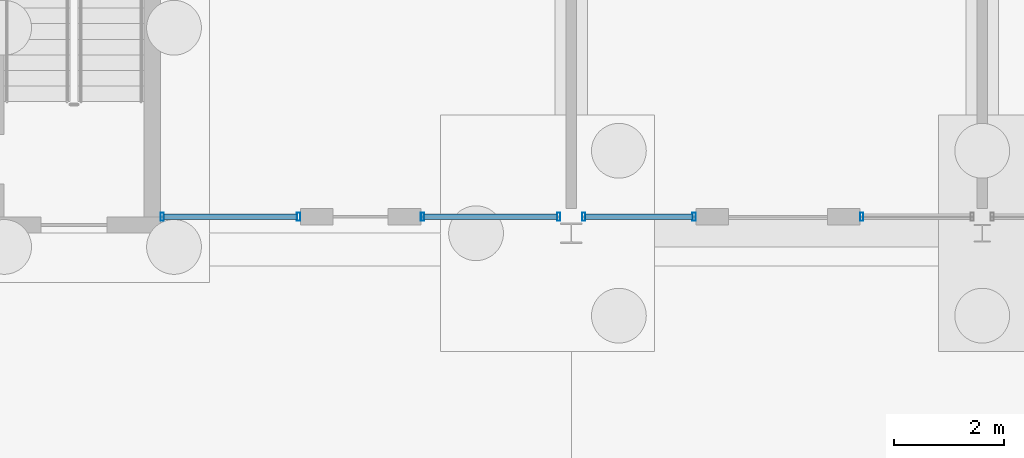
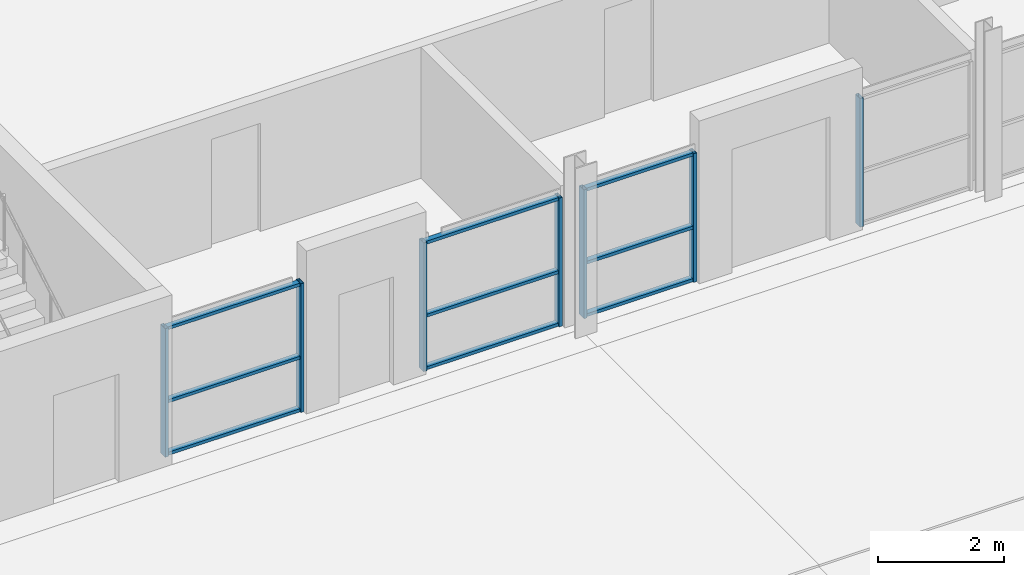
# One storey, part 51 of 130: 16 members, 4 elements without a shape of their own.
"""IFC4 building model written with IfcOpenShell, lengths in metres."""

import ifcopenshell
import ifcopenshell.guid

model = None  # the IFC model being written
_history = None  # IfcOwnerHistory: only IFC2X3 demands one
_inside = {}  # id of a spatial element -> (the spatial element, [elements in it])
_under = {}  # id of a project, library or spatial element -> (it, [spatial elements below it])
_declared = {}  # id of a project -> (the project, [libraries it declares])
_typed = {}  # id of a type object -> (the type object, [elements of that type])
_made_of = {}  # id of a material, layer set ... -> (it, [elements and type objects made of it])


def new_model(schema):
    """Start an empty IFC model of exactly this schema.

    Asked for "IFC4X3", IfcOpenShell would pick the latest addendum, in which some entities
    have other attributes; the version numbers below select the first issue.
    IFC2X3 requires an IfcOwnerHistory on every rooted entity: one is made here for all.
    """
    global model, _history
    if schema == "IFC4X3":
        model = ifcopenshell.file(schema_version=(4, 3, 0, 0))
    else:
        model = ifcopenshell.file(schema=schema)
    _inside.clear()
    _under.clear()
    _declared.clear()
    _typed.clear()
    _made_of.clear()
    _history = None
    if model.schema == "IFC2X3":
        org = make("IfcOrganization", Name="unknown")
        user = make(
            "IfcPersonAndOrganization",
            ThePerson=make("IfcPerson", FamilyName="unknown"),
            TheOrganization=org,
        )
        app = make(
            "IfcApplication",
            ApplicationDeveloper=org,
            Version="unknown",
            ApplicationFullName="unknown",
            ApplicationIdentifier="unknown",
        )
        _history = make(
            "IfcOwnerHistory",
            OwningUser=user,
            OwningApplication=app,
            ChangeAction="ADDED",
            CreationDate=0,
        )
    return model


def make(cls, **values):
    """One entity of the class cls with the attributes given. An attribute that is None is left unset."""
    return model.create_entity(
        cls, **{name: value for name, value in values.items() if value is not None}
    )


def rooted(cls, **values):
    """An entity with a GlobalId (a new one), such as an element, a storey or a relation."""
    return make(cls, GlobalId=ifcopenshell.guid.new(), OwnerHistory=_history, **values)


def si_unit(unit_type, name, prefix=None):
    """IfcSIUnit, for example si_unit("LENGTHUNIT", "METRE", prefix="MILLI")."""
    return make("IfcSIUnit", UnitType=unit_type, Prefix=prefix, Name=name)


def assignment(units):
    """IfcUnitAssignment: the units of a project."""
    return None if units is None else make("IfcUnitAssignment", Units=units)


def point(xyz):
    """IfcCartesianPoint."""
    return None if xyz is None else make("IfcCartesianPoint", Coordinates=xyz)


def direction(xyz):
    """IfcDirection."""
    return None if xyz is None else make("IfcDirection", DirectionRatios=xyz)


def frame(location, z_axis=None, x_axis=None):
    """IfcAxis2Placement3D, a coordinate frame: its origin and axes. An axis left out is left unset."""
    return make(
        "IfcAxis2Placement3D",
        Location=point(location),
        Axis=direction(z_axis),
        RefDirection=direction(x_axis),
    )


def frame_2d(location, x_axis=None):
    """IfcAxis2Placement2D, a coordinate frame in the plane: its origin and x axis."""
    return make(
        "IfcAxis2Placement2D", Location=point(location), RefDirection=direction(x_axis)
    )


def origin():
    """The frame at (0, 0, 0) with its axes left unset."""
    return frame((0.0, 0.0, 0.0))


def origin_2d():
    """The frame at (0, 0) in the plane with its x axis left unset."""
    return frame_2d((0.0, 0.0))


def place(relative_to, where):
    """IfcLocalPlacement: puts the frame where relative to a parent placement (None: the world)."""
    return make(
        "IfcLocalPlacement", PlacementRelTo=relative_to, RelativePlacement=where
    )


def context(
    kind, dimensions, precision=None, world=None, true_north=None, identifier=None
):
    """IfcGeometricRepresentationContext, for example the 3D "Model" context."""
    return make(
        "IfcGeometricRepresentationContext",
        ContextIdentifier=identifier,
        ContextType=kind,
        CoordinateSpaceDimension=dimensions,
        Precision=precision,
        WorldCoordinateSystem=world,
        TrueNorth=true_north,
    )


def subcontext(parent, identifier, kind, view, scale=None):
    """IfcGeometricRepresentationSubContext, for example "Body" below "Model"."""
    return make(
        "IfcGeometricRepresentationSubContext",
        ContextIdentifier=identifier,
        ContextType=kind,
        ParentContext=parent,
        TargetScale=scale,
        TargetView=view,
    )


def project(units=None, contexts=None):
    """IfcProject with its units and contexts."""
    return rooted(
        "IfcProject",
        Name="project",
        RepresentationContexts=contexts,
        UnitsInContext=assignment(units),
    )


def spatial(cls, under=None, at=None, **own):
    """A site, building, storey or space (cls), placed at a placement, below another one or the project."""
    s = rooted(cls, ObjectPlacement=at, **own)
    if under is not None:
        _under.setdefault(under.id(), (under, []))[1].append(s)
    return s


def profile(cls, at=None, kind="AREA", **sizes):
    """A parametric profile (cls). Its sizes go by their IFC names, for example OverallWidth=200.0."""
    return make(cls, ProfileType=kind, Position=at, **sizes)


def hollow_rectangle(**sizes):
    """IfcRectangleHollowProfileDef."""
    return profile("IfcRectangleHollowProfileDef", **sizes)


def extrude(swept, where, along, depth):
    """IfcExtrudedAreaSolid: the profile swept, set in the frame where, extruded along a direction by depth."""
    return make(
        "IfcExtrudedAreaSolid",
        SweptArea=swept,
        Position=where,
        ExtrudedDirection=direction(along),
        Depth=depth,
    )


def shape(context_of_items, identifier, shape_type, items):
    """IfcShapeRepresentation: the items that make up one representation, for example the "Body"."""
    return make(
        "IfcShapeRepresentation",
        ContextOfItems=context_of_items,
        RepresentationIdentifier=identifier,
        RepresentationType=shape_type,
        Items=items,
    )


def material(Name=None, Category=None):
    """IfcMaterial."""
    return make("IfcMaterial", Name=Name, Category=Category)


def material_profile(
    of_material, cross_section, Name=None, Category=None, Priority=None
):
    """IfcMaterialProfile: a cross section and its material."""
    return make(
        "IfcMaterialProfile",
        Name=Name,
        Material=of_material,
        Profile=cross_section,
        Priority=Priority,
        Category=Category,
    )


def profile_set(profiles, Name=None, composite=None):
    """IfcMaterialProfileSet."""
    return make(
        "IfcMaterialProfileSet",
        Name=Name,
        MaterialProfiles=profiles,
        CompositeProfile=composite,
    )


def made_of(thing, what):
    """Note that an element or type object is made of a material, layer set ...; save() writes the relation."""
    if what is not None:
        _made_of.setdefault(what.id(), (what, []))[1].append(thing)
    return thing


def type_object(cls, material=None, **own):
    """A type object (cls), such as IfcWallType, which elements share."""
    return made_of(rooted(cls, **own), material)


def element(
    cls,
    number,
    at=None,
    inside=None,
    cuts=None,
    type_object=None,
    material=None,
    context=None,
    identifier="Body",
    shape_type=None,
    held_by="IfcProductDefinitionShape",
    body=None,
    shapes=None,
    **own,
):
    """One element of the class cls, such as IfcWall. Its Tag is "e" and its number.

    at: its placement. inside: the storey or other place that contains it. cuts: it is an
    opening in that element (IfcRelVoidsElement). A single representation is given by context,
    identifier, shape_type and body (its items); several are given by shapes. held_by: the class
    of the entity that holds the representations. save() writes the other relations.
    """
    e = rooted(cls, Tag="e%d" % number, ObjectPlacement=at, **own)
    if body is not None:
        shapes = [shape(context, identifier, shape_type, body)]
    if shapes is not None:
        e.Representation = make(held_by, Representations=shapes)
    if inside is not None:
        _inside.setdefault(inside.id(), (inside, []))[1].append(e)
    if cuts is not None:
        rooted(
            "IfcRelVoidsElement", RelatingBuildingElement=cuts, RelatedOpeningElement=e
        )
    if type_object is not None:
        _typed.setdefault(type_object.id(), (type_object, []))[1].append(e)
    return made_of(e, material)


def aggregate(whole, parts):
    """IfcRelAggregates: a whole, such as a stair, and the parts it consists of."""
    return rooted("IfcRelAggregates", RelatingObject=whole, RelatedObjects=parts)


def save(model, path):
    """Write the relations noted so far, then the file.

    IfcRelAggregates (storeys below a building ...), IfcRelContainedInSpatialStructure (elements
    in a storey), IfcRelDefinesByType, IfcRelAssociatesMaterial and IfcRelDeclares: one each for
    every whole, place, type object, material and project.
    """
    for whole, parts in _under.values():
        aggregate(whole, parts)
    for where, things in _inside.values():
        rooted(
            "IfcRelContainedInSpatialStructure",
            RelatedElements=things,
            RelatingStructure=where,
        )
    for kind, things in _typed.values():
        rooted("IfcRelDefinesByType", RelatedObjects=things, RelatingType=kind)
    for what, things in _made_of.values():
        rooted("IfcRelAssociatesMaterial", RelatedObjects=things, RelatingMaterial=what)
    for by, libraries in _declared.values():
        rooted("IfcRelDeclares", RelatingContext=by, RelatedDefinitions=libraries)
    model.write(path)


model = new_model("IFC4")

# Units and contexts
model_context = context("Model", 3, precision=1e-05, world=origin(), true_north=direction((0.0, 1.0)))
body_context = subcontext(model_context, "Body", "Model", "MODEL_VIEW")
ifc_project = project(units=[si_unit("LENGTHUNIT", "METRE"), si_unit("AREAUNIT", "SQUARE_METRE"), si_unit("VOLUMEUNIT", "CUBIC_METRE"), si_unit("PLANEANGLEUNIT", "RADIAN"), si_unit("MASSUNIT", "GRAM", prefix="KILO")], contexts=[model_context])

# Site, building, storey
site_placement = place(None, origin())
site = spatial("IfcSite", under=ifc_project, at=site_placement, CompositionType="ELEMENT")
building_placement = place(site_placement, origin())
building = spatial("IfcBuilding", under=site, at=building_placement, Name="Parallax Yard Mobility Hub", CompositionType="ELEMENT")
storey_placement = place(building_placement, origin())
storey = spatial("IfcBuildingStorey", under=building, at=storey_placement, Name="L00", CompositionType="ELEMENT", Elevation=0.0)

# Curtain wall, members
ifc_material_1 = material(Name="Aluminium and glass curtain wall", Category="aluminium")
curtain_wall_type = type_object("IfcCurtainWallType", Name="Curtain wall, aluminium stick system", PredefinedType="NOTDEFINED", material=ifc_material_1)
curtain_wall_1_placement = place(storey_placement, origin())
curtain_wall_1 = element("IfcCurtainWall", 1, at=curtain_wall_1_placement, inside=storey, type_object=curtain_wall_type, Name="Curtain wall CW09 level L00 bay 7", PredefinedType="NOTDEFINED")
ifc_material_2 = material(Name="Aluminium 6063-T6 anodised", Category="aluminium")
ifc_material_profile_1 = material_profile(ifc_material_2, hollow_rectangle(XDim=0.14990234375, YDim=0.06005859375, WallThickness=0.00390625, at=origin_2d()), Name="RHS 60x150x4")
ifc_profile_set_1 = profile_set([ifc_material_profile_1], Name="Aluminium 6063-T6 anodised")
member_type_1 = type_object("IfcMemberType", Name="Curtain wall mullion RHS 60x150x4", PredefinedType="MULLION", material=ifc_profile_set_1)
member_1_placement = place(storey_placement, frame((82.534912109375, 112.800048828125, 0.0), z_axis=(0.0, 0.0, 1.0), x_axis=(0.0, 1.0, 0.0)))
member_1 = element("IfcMember", 2, at=member_1_placement, type_object=member_type_1, Name="CW09 mullion 1", PredefinedType="MULLION", context=body_context, shape_type="SweptSolid", body=[
    extrude(hollow_rectangle(XDim=0.14990234375, YDim=0.06005859375, WallThickness=0.00390625, at=origin_2d()), origin(), (0.0, 0.0, 1.0), 2.5),
])
member_2_placement = place(storey_placement, frame((85.02392578125, 112.800048828125, 0.0), z_axis=(0.0, 0.0, 1.0), x_axis=(0.0, 1.0, 0.0)))
member_2 = element("IfcMember", 3, at=member_2_placement, type_object=member_type_1, Name="CW09 mullion 2", PredefinedType="MULLION", context=body_context, shape_type="SweptSolid", body=[
    extrude(hollow_rectangle(XDim=0.14990234375, YDim=0.06005859375, WallThickness=0.00390625, at=origin_2d()), origin(), (0.0, 0.0, 1.0), 2.5),
])

curtain_wall_2_placement = place(storey_placement, origin())
curtain_wall_2 = element("IfcCurtainWall", 4, at=curtain_wall_2_placement, inside=storey, type_object=curtain_wall_type, Name="Curtain wall CW10 level L00 bay 7", PredefinedType="NOTDEFINED")
member_3_placement = place(storey_placement, frame((87.283935546875, 112.800048828125, 0.0), z_axis=(0.0, 0.0, 1.0), x_axis=(0.0, 1.0, 0.0)))
member_3 = element("IfcMember", 5, at=member_3_placement, type_object=member_type_1, Name="CW10 mullion 1", PredefinedType="MULLION", context=body_context, shape_type="SweptSolid", body=[
    extrude(hollow_rectangle(XDim=0.14990234375, YDim=0.06005859375, WallThickness=0.00390625, at=origin_2d()), origin(), (0.0, 0.0, 1.0), 2.5),
])
member_4_placement = place(storey_placement, frame((89.77294921875, 112.800048828125, 0.0), z_axis=(0.0, 0.0, 1.0), x_axis=(0.0, 1.0, 0.0)))
member_4 = element("IfcMember", 6, at=member_4_placement, type_object=member_type_1, Name="CW10 mullion 2", PredefinedType="MULLION", context=body_context, shape_type="SweptSolid", body=[
    extrude(hollow_rectangle(XDim=0.14990234375, YDim=0.06005859375, WallThickness=0.00390625, at=origin_2d()), origin(), (0.0, 0.0, 1.0), 2.5),
])

curtain_wall_3_placement = place(storey_placement, origin())
curtain_wall_3 = element("IfcCurtainWall", 7, at=curtain_wall_3_placement, inside=storey, type_object=curtain_wall_type, Name="Curtain wall CW11 level L00 bay 8", PredefinedType="NOTDEFINED")
member_5_placement = place(storey_placement, frame((90.22705078125, 112.800048828125, 0.0), z_axis=(0.0, 0.0, 1.0), x_axis=(0.0, 1.0, 0.0)))
member_5 = element("IfcMember", 8, at=member_5_placement, type_object=member_type_1, Name="CW11 mullion 1", PredefinedType="MULLION", context=body_context, shape_type="SweptSolid", body=[
    extrude(hollow_rectangle(XDim=0.14990234375, YDim=0.06005859375, WallThickness=0.00390625, at=origin_2d()), origin(), (0.0, 0.0, 1.0), 2.5),
])
member_6_placement = place(storey_placement, frame((92.24169921875, 112.800048828125, 0.0), z_axis=(0.0, 0.0, 1.0), x_axis=(0.0, 1.0, 0.0)))
member_6 = element("IfcMember", 9, at=member_6_placement, type_object=member_type_1, Name="CW11 mullion 2", PredefinedType="MULLION", context=body_context, shape_type="SweptSolid", body=[
    extrude(hollow_rectangle(XDim=0.14990234375, YDim=0.06005859375, WallThickness=0.00390625, at=origin_2d()), origin(), (0.0, 0.0, 1.0), 2.5),
])

# Curtain wall, member
curtain_wall_4_placement = place(storey_placement, origin())
curtain_wall_4 = element("IfcCurtainWall", 10, at=curtain_wall_4_placement, inside=storey, type_object=curtain_wall_type, Name="Curtain wall CW12 level L00 bay 8", PredefinedType="NOTDEFINED")
member_7_placement = place(storey_placement, frame((95.3017578125, 112.800048828125, 0.0), z_axis=(0.0, 0.0, 1.0), x_axis=(0.0, 1.0, 0.0)))
member_7 = element("IfcMember", 11, at=member_7_placement, type_object=member_type_1, Name="CW12 mullion 1", PredefinedType="MULLION", context=body_context, shape_type="SweptSolid", body=[
    extrude(hollow_rectangle(XDim=0.14990234375, YDim=0.06005859375, WallThickness=0.00390625, at=origin_2d()), origin(), (0.0, 0.0, 1.0), 2.5),
])
aggregate(curtain_wall_4, [member_7])

# Member
ifc_material_profile_2 = material_profile(ifc_material_2, hollow_rectangle(XDim=0.10009765625, YDim=0.06005859375, WallThickness=0.00390625, at=origin_2d()), Name="RHS 60x100x4")
ifc_profile_set_2 = profile_set([ifc_material_profile_2], Name="Aluminium 6063-T6 anodised")
member_type_2 = type_object("IfcMemberType", Name="Curtain wall transom RHS 60x100x4", PredefinedType="USERDEFINED", material=ifc_profile_set_2)
member_8_placement = place(storey_placement, frame((82.56494140625, 112.800048828125, 0.030029296875), z_axis=(1.0, 0.0, 0.0), x_axis=(0.0, 1.0, 0.0)))
member_8 = element("IfcMember", 12, at=member_8_placement, type_object=member_type_2, Name="CW09 transom 1.1", ObjectType="TRANSOM", PredefinedType="USERDEFINED", context=body_context, shape_type="SweptSolid", body=[
    extrude(hollow_rectangle(XDim=0.10009765625, YDim=0.06005859375, WallThickness=0.00390625, at=origin_2d()), origin(), (0.0, 0.0, 1.0), 2.428955078125),
])

member_9_placement = place(storey_placement, frame((82.56494140625, 112.800048828125, 1.050048828125), z_axis=(1.0, 0.0, 0.0), x_axis=(0.0, 1.0, 0.0)))
member_9 = element("IfcMember", 13, at=member_9_placement, type_object=member_type_2, Name="CW09 transom 1.2", ObjectType="TRANSOM", PredefinedType="USERDEFINED", context=body_context, shape_type="SweptSolid", body=[
    extrude(hollow_rectangle(XDim=0.10009765625, YDim=0.06005859375, WallThickness=0.00390625, at=origin_2d()), origin(), (0.0, 0.0, 1.0), 2.428955078125),
])

member_10_placement = place(storey_placement, frame((82.56494140625, 112.800048828125, 2.469970703125), z_axis=(1.0, 0.0, 0.0), x_axis=(0.0, 1.0, 0.0)))
member_10 = element("IfcMember", 14, at=member_10_placement, type_object=member_type_2, Name="CW09 transom 1.3", ObjectType="TRANSOM", PredefinedType="USERDEFINED", context=body_context, shape_type="SweptSolid", body=[
    extrude(hollow_rectangle(XDim=0.10009765625, YDim=0.06005859375, WallThickness=0.00390625, at=origin_2d()), origin(), (0.0, 0.0, 1.0), 2.428955078125),
])

aggregate(curtain_wall_1, [member_1, member_2, member_8, member_9, member_10])

member_11_placement = place(storey_placement, frame((87.31396484375, 112.800048828125, 0.030029296875), z_axis=(1.0, 0.0, 0.0), x_axis=(0.0, 1.0, 0.0)))
member_11 = element("IfcMember", 15, at=member_11_placement, type_object=member_type_2, Name="CW10 transom 1.1", ObjectType="TRANSOM", PredefinedType="USERDEFINED", context=body_context, shape_type="SweptSolid", body=[
    extrude(hollow_rectangle(XDim=0.10009765625, YDim=0.06005859375, WallThickness=0.00390625, at=origin_2d()), origin(), (0.0, 0.0, 1.0), 2.428955078125),
])

member_12_placement = place(storey_placement, frame((87.31396484375, 112.800048828125, 1.050048828125), z_axis=(1.0, 0.0, 0.0), x_axis=(0.0, 1.0, 0.0)))
member_12 = element("IfcMember", 16, at=member_12_placement, type_object=member_type_2, Name="CW10 transom 1.2", ObjectType="TRANSOM", PredefinedType="USERDEFINED", context=body_context, shape_type="SweptSolid", body=[
    extrude(hollow_rectangle(XDim=0.10009765625, YDim=0.06005859375, WallThickness=0.00390625, at=origin_2d()), origin(), (0.0, 0.0, 1.0), 2.428955078125),
])

member_13_placement = place(storey_placement, frame((87.31396484375, 112.800048828125, 2.469970703125), z_axis=(1.0, 0.0, 0.0), x_axis=(0.0, 1.0, 0.0)))
member_13 = element("IfcMember", 17, at=member_13_placement, type_object=member_type_2, Name="CW10 transom 1.3", ObjectType="TRANSOM", PredefinedType="USERDEFINED", context=body_context, shape_type="SweptSolid", body=[
    extrude(hollow_rectangle(XDim=0.10009765625, YDim=0.06005859375, WallThickness=0.00390625, at=origin_2d()), origin(), (0.0, 0.0, 1.0), 2.428955078125),
])

aggregate(curtain_wall_2, [member_3, member_4, member_11, member_12, member_13])

member_14_placement = place(storey_placement, frame((90.257080078125, 112.800048828125, 0.030029296875), z_axis=(1.0, 0.0, 0.0), x_axis=(0.0, 1.0, 0.0)))
member_14 = element("IfcMember", 18, at=member_14_placement, type_object=member_type_2, Name="CW11 transom 1.1", ObjectType="TRANSOM", PredefinedType="USERDEFINED", context=body_context, shape_type="SweptSolid", body=[
    extrude(hollow_rectangle(XDim=0.10009765625, YDim=0.06005859375, WallThickness=0.00390625, at=origin_2d()), origin(), (0.0, 0.0, 1.0), 1.95458984375),
])

member_15_placement = place(storey_placement, frame((90.257080078125, 112.800048828125, 1.050048828125), z_axis=(1.0, 0.0, 0.0), x_axis=(0.0, 1.0, 0.0)))
member_15 = element("IfcMember", 19, at=member_15_placement, type_object=member_type_2, Name="CW11 transom 1.2", ObjectType="TRANSOM", PredefinedType="USERDEFINED", context=body_context, shape_type="SweptSolid", body=[
    extrude(hollow_rectangle(XDim=0.10009765625, YDim=0.06005859375, WallThickness=0.00390625, at=origin_2d()), origin(), (0.0, 0.0, 1.0), 1.95458984375),
])

member_16_placement = place(storey_placement, frame((90.257080078125, 112.800048828125, 2.469970703125), z_axis=(1.0, 0.0, 0.0), x_axis=(0.0, 1.0, 0.0)))
member_16 = element("IfcMember", 20, at=member_16_placement, type_object=member_type_2, Name="CW11 transom 1.3", ObjectType="TRANSOM", PredefinedType="USERDEFINED", context=body_context, shape_type="SweptSolid", body=[
    extrude(hollow_rectangle(XDim=0.10009765625, YDim=0.06005859375, WallThickness=0.00390625, at=origin_2d()), origin(), (0.0, 0.0, 1.0), 1.95458984375),
])

aggregate(curtain_wall_3, [member_5, member_6, member_14, member_15, member_16])

save(model, "model.ifc")
